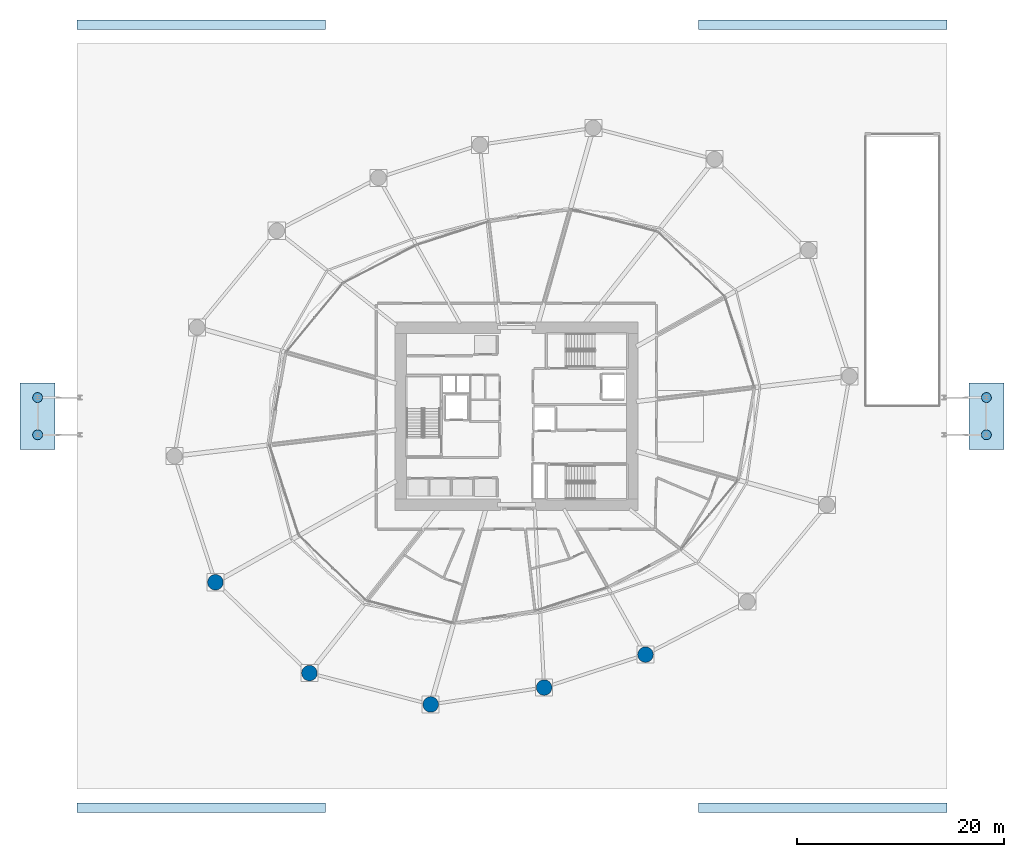
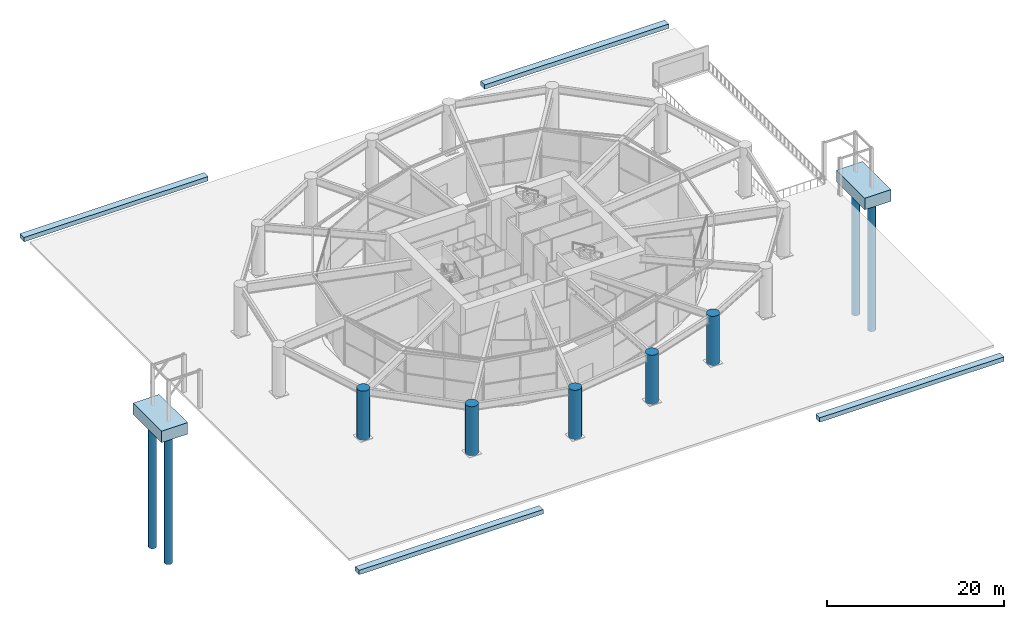
# One storey, part 1 of 28: 6 footings, 5 columns, 4 piles.
"""IFC4 building model written with IfcOpenShell, lengths in metres."""

from ifc_helpers import new_model, si_unit, direction, frame, origin, origin_2d, place, context, subcontext, project, spatial, rectangle, circle, extrude, material, material_profile, profile_set, type_object, element, save


model = new_model("IFC4")

# Units and contexts
model_context = context("Model", 3, precision=1e-05, world=origin(), true_north=direction((0.0, 1.0)))
body_context = subcontext(model_context, "Body", "Model", "MODEL_VIEW")
ifc_project = project(units=[si_unit("LENGTHUNIT", "METRE"), si_unit("AREAUNIT", "SQUARE_METRE"), si_unit("VOLUMEUNIT", "CUBIC_METRE"), si_unit("PLANEANGLEUNIT", "RADIAN"), si_unit("MASSUNIT", "GRAM", prefix="KILO")], contexts=[model_context])

# Site, building, storey
site_placement = place(None, origin())
site = spatial("IfcSite", under=ifc_project, at=site_placement, CompositionType="ELEMENT")
building_placement = place(site_placement, origin())
building = spatial("IfcBuilding", under=site, at=building_placement, Name="Kazma Halo Residences", CompositionType="ELEMENT")
storey_placement = place(building_placement, origin())
storey = spatial("IfcBuildingStorey", under=building, at=storey_placement, Name="L00", CompositionType="ELEMENT", Elevation=0.0)

# Footings
ifc_material_1 = material(Name="Concrete C50/60", Category="concrete")
footing_type_1 = type_object("IfcFootingType", Name="FTG-CAP-3400", PredefinedType="PILE_CAP", material=ifc_material_1)
for number, where, z_axis, x_axis, name in (
    (1, (2.199951171875, 42.0, -2.0), (0.0, 0.0, 1.0), (1.0, 0.0, 0.0), "Porte-cochere pile cap PC-W1"),
    (2, (93.800048828125, 42.0, -2.0), (0.0, 0.0, 1.0), (1.0, 0.0, 0.0), "Porte-cochere pile cap PC-E1"),
):
    element("IfcFooting", number, at=place(storey_placement, frame(where, z_axis=z_axis, x_axis=x_axis)), inside=storey, type_object=footing_type_1, Name=name, PredefinedType="PILE_CAP", context=body_context, shape_type="SweptSolid", body=[
        extrude(rectangle(XDim=3.39990234375, YDim=6.39990234375, at=origin_2d()), origin(), (0.0, 0.0, 1.0), 1.60009765625),
    ])
ifc_material_profile_1 = material_profile(ifc_material_1, rectangle(XDim=0.60009765625, YDim=0.89990234375, at=origin_2d()), Name="RECT600x900")
ifc_profile_set_1 = profile_set([ifc_material_profile_1], Name="Concrete C50/60")
footing_type_2 = type_object("IfcFootingType", Name="FTG-STRIP-900", PredefinedType="STRIP_FOOTING", material=ifc_profile_set_1)
for number, where, z_axis, x_axis, name in (
    (3, (18.0, 4.199951171875, -0.85009765625), (0.0, 0.0, 1.0), (1.0, 0.0, 0.0), "Plaza strip footing SF-1"),
    (4, (78.0, 4.199951171875, -0.85009765625), (0.0, 0.0, 1.0), (1.0, 0.0, 0.0), "Plaza strip footing SF-2"),
    (5, (18.0, 79.800048828125, -0.85009765625), (0.0, 0.0, 1.0), (1.0, 0.0, 0.0), "Plaza strip footing SF-3"),
    (6, (78.0, 79.800048828125, -0.85009765625), (0.0, 0.0, 1.0), (1.0, 0.0, 0.0), "Plaza strip footing SF-4"),
):
    element("IfcFooting", number, at=place(storey_placement, frame(where, z_axis=z_axis, x_axis=x_axis)), inside=storey, type_object=footing_type_2, Name=name, PredefinedType="STRIP_FOOTING", context=body_context, shape_type="SweptSolid", body=[
        extrude(rectangle(XDim=24.0, YDim=0.89990234375, at=origin_2d()), origin(), (0.0, 0.0, 1.0), 0.60009765625),
    ])

# Piles
ifc_material_2 = material(Name="Concrete C60/75", Category="concrete")
ifc_material_profile_2 = material_profile(ifc_material_2, circle(Radius=0.47509765625, at=origin_2d()), Name="CIRC950")
ifc_profile_set_2 = profile_set([ifc_material_profile_2], Name="Concrete C60/75")
pile_type = type_object("IfcPileType", Name="PIL-BORED-950", PredefinedType="BORED", material=ifc_profile_set_2)
for number, where, z_axis, x_axis, name in (
    (7, (2.199951171875, 40.199951171875, -1.89990234375), (0.0, 0.0, -1.0), (1.0, 0.0, 0.0), "Canopy bored pile PC-W1-1"),
    (8, (2.199951171875, 43.800048828125, -1.89990234375), (0.0, 0.0, -1.0), (1.0, 0.0, 0.0), "Canopy bored pile PC-W1-2"),
    (9, (93.800048828125, 40.199951171875, -1.89990234375), (0.0, 0.0, -1.0), (1.0, 0.0, 0.0), "Canopy bored pile PC-E1-1"),
    (10, (93.800048828125, 43.800048828125, -1.89990234375), (0.0, 0.0, -1.0), (1.0, 0.0, 0.0), "Canopy bored pile PC-E1-2"),
):
    element("IfcPile", number, at=place(storey_placement, frame(where, z_axis=z_axis, x_axis=x_axis)), inside=storey, type_object=pile_type, Name=name, PredefinedType="BORED", context=body_context, shape_type="SweptSolid", body=[
        extrude(circle(Radius=0.47509765625, at=origin_2d()), origin(), (0.0, 0.0, 1.0), 18.0),
    ])

# Columns
ifc_material_3 = material(Name="Concrete C80/95", Category="concrete")
ifc_material_profile_3 = material_profile(ifc_material_3, circle(Radius=0.75, at=origin_2d()), Name="CIRC1500")
ifc_profile_set_3 = profile_set([ifc_material_profile_3], Name="Concrete C80/95")
column_type = type_object("IfcColumnType", Name="COL-PILOTIS-1500", PredefinedType="COLUMN", material=ifc_profile_set_3)
for number, where, z_axis, x_axis, name in (
    (11, (19.3671875, 25.96484375, 0.0), (0.0, 0.0, 1.0), (1.0, 0.0, 0.0), "L00 open pilotis stilt column P09"),
    (12, (28.44677734375, 17.19677734375, 0.0), (0.0, 0.0, 1.0), (1.0, 0.0, 0.0), "L00 open pilotis stilt column P10"),
    (13, (40.15087890625, 14.168701171875, 0.0), (0.0, 0.0, 1.0), (1.0, 0.0, 0.0), "L00 open pilotis stilt column P11"),
    (14, (51.1005859375, 15.803955078125, 0.0), (0.0, 0.0, 1.0), (1.0, 0.0, 0.0), "L00 open pilotis stilt column P12"),
    (15, (60.889404296875, 18.984375, 0.0), (0.0, 0.0, 1.0), (1.0, 0.0, 0.0), "L00 open pilotis stilt column P13"),
):
    element("IfcColumn", number, at=place(storey_placement, frame(where, z_axis=z_axis, x_axis=x_axis)), inside=storey, type_object=column_type, Name=name, PredefinedType="COLUMN", context=body_context, shape_type="SweptSolid", body=[
        extrude(circle(Radius=0.75, at=origin_2d()), origin(), (0.0, 0.0, 1.0), 6.800048828125),
    ])

save(model, "model.ifc")
